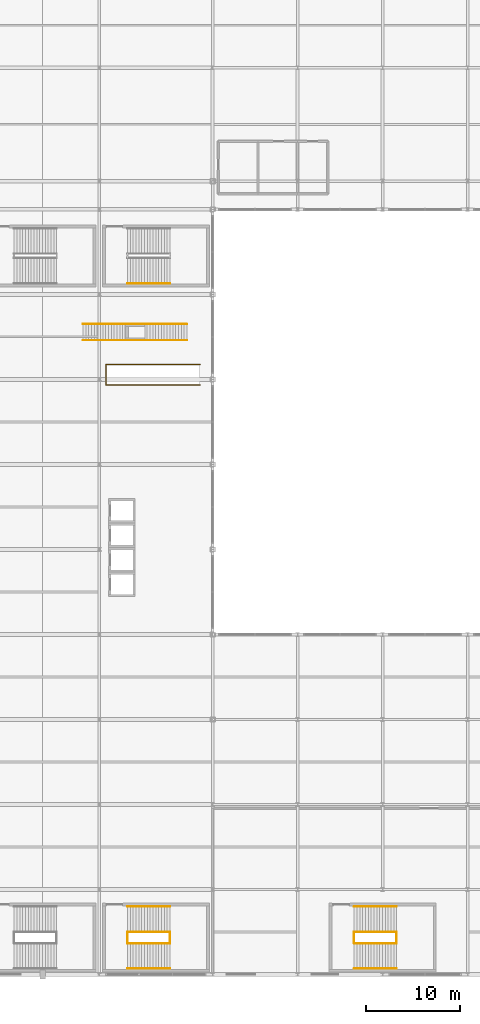
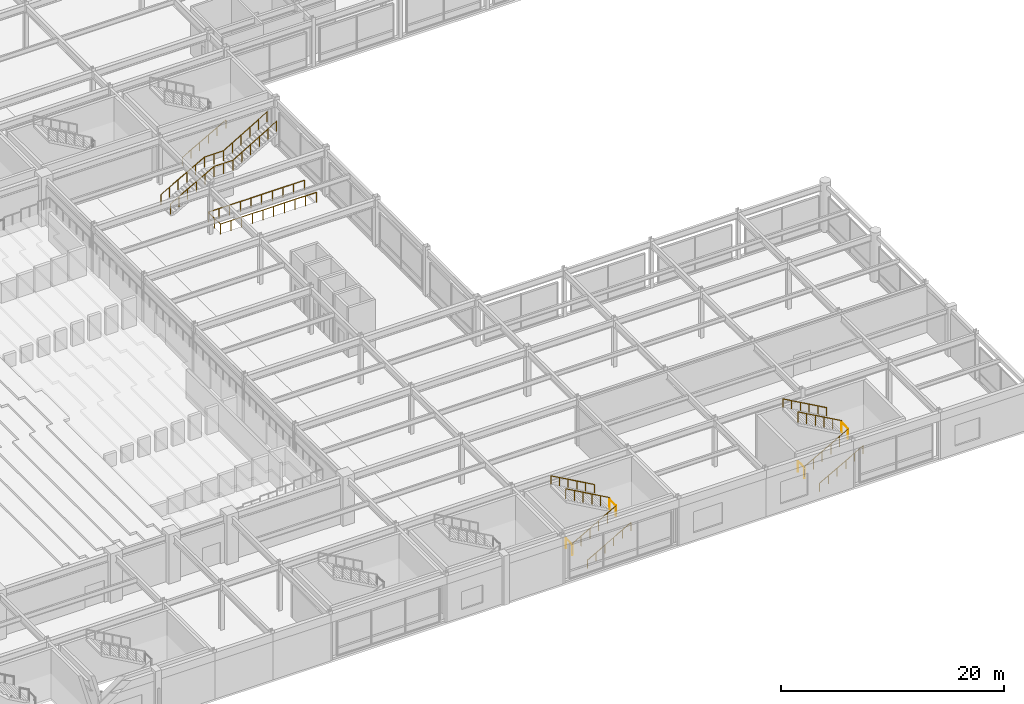
# One storey, part 99 of 100: 16 railings.
"""IFC4 building model written with IfcOpenShell, lengths in metres."""

from ifc_helpers import new_model, si_unit, direction, frame, origin, origin_2d, place, context, subcontext, project, spatial, circle, extrude, material, type_object, element, save


model = new_model("IFC4")

# Units and contexts
model_context = context("Model", 3, precision=1e-05, world=origin(), true_north=direction((0.0, 1.0)))
body_context = subcontext(model_context, "Body", "Model", "MODEL_VIEW")
ifc_project = project(units=[si_unit("LENGTHUNIT", "METRE"), si_unit("AREAUNIT", "SQUARE_METRE"), si_unit("VOLUMEUNIT", "CUBIC_METRE"), si_unit("PLANEANGLEUNIT", "RADIAN"), si_unit("MASSUNIT", "GRAM", prefix="KILO")], contexts=[model_context])

# Site, building, storey
site_placement = place(None, origin())
site = spatial("IfcSite", under=ifc_project, at=site_placement, CompositionType="ELEMENT")
building_placement = place(site_placement, origin())
building = spatial("IfcBuilding", under=site, at=building_placement, Name="Kaldorvane Square Convention Centre", CompositionType="ELEMENT")
storey_placement = place(building_placement, frame((0.0, 0.0, 18.0)))
storey = spatial("IfcBuildingStorey", under=building, at=storey_placement, Name="L03", CompositionType="ELEMENT", Elevation=18.0)

# Railings
ifc_material = material(Name="Architectural Painted Steel", Category="steel")
railing_type_1 = type_object("IfcRailingType", Name="RL-GUARD-1120", PredefinedType="BALUSTRADE", material=ifc_material)
for number, where, name in (
    (1, (128.99000549316406, 3.30999755859375, 0.0), "Convention Exit Stair C10 Floor Well Guard (L03)"),
    (2, (133.49000549316406, 3.30999755859375, 2.6999969482421875), "Convention Exit Stair C10 Half-Landing Guard (L03)"),
):
    element("IfcRailing", number, at=place(storey_placement, frame(where)), inside=storey, type_object=railing_type_1, Name=name, PredefinedType="BALUSTRADE", context=body_context, shape_type="SweptSolid", body=[
        extrude(circle(Radius=0.0240020751953125, at=origin_2d()), frame((0.0, 0.0, 1.0959930419921875), z_axis=(0.0, 1.0, 0.0), x_axis=(-1.0, 0.0, 0.0)), (0.0, 0.0, 1.0), 1.19000244140625),
        extrude(circle(Radius=0.02099609375, at=origin_2d()), origin(), (0.0, 0.0, 1.0), 1.071990966796875),
        extrude(circle(Radius=0.02099609375, at=origin_2d()), frame((0.0, 1.19000244140625, 0.0)), (0.0, 0.0, 1.0), 1.071990966796875),
    ])
railing_1_placement = place(storey_placement, frame((128.99000549316406, 3.3000030517578125, 0.1687469482421875)))
element("IfcRailing", 3, at=railing_1_placement, inside=storey, type_object=railing_type_1, Name="Convention Exit Stair C10 Flight 1 Guard (L03)", PredefinedType="BALUSTRADE", context=body_context, shape_type="SweptSolid", body=[
    extrude(circle(Radius=0.0240020751953125, at=origin_2d()), frame((0.0, 0.0, 1.0959930419921875), z_axis=(0.871575537125, 0.0, 0.490261239633), x_axis=(0.0, 1.0, 0.0)), (0.0, 0.0, 1.0), 5.1630706787109375),
    extrude(circle(Radius=0.02099609375, at=origin_2d()), origin(), (0.0, 0.0, 1.0), 1.071990966796875),
    extrude(circle(Radius=0.02099609375, at=origin_2d()), frame((0.899993896484375, 0.0, 0.506256103515625)), (0.0, 0.0, 1.0), 1.071990966796875),
    extrude(circle(Radius=0.02099609375, at=origin_2d()), frame((1.8000030517578125, 0.0, 1.0124969482421875)), (0.0, 0.0, 1.0), 1.071990966796875),
    extrude(circle(Radius=0.02099609375, at=origin_2d()), frame((2.6999969482421875, 0.0, 1.5187530517578125)), (0.0, 0.0, 1.0), 1.071990966796875),
    extrude(circle(Radius=0.02099609375, at=origin_2d()), frame((3.600006103515625, 0.0, 2.024993896484375)), (0.0, 0.0, 1.0), 1.071990966796875),
    extrude(circle(Radius=0.02099609375, at=origin_2d()), frame((4.5, 0.0, 2.53125)), (0.0, 0.0, 1.0), 1.071990966796875),
])
railing_2_placement = place(storey_placement, frame((133.49000549316406, 4.5099945068359375, 2.868743896484375)))
element("IfcRailing", 4, at=railing_2_placement, inside=storey, type_object=railing_type_1, Name="Convention Exit Stair C10 Flight 2 Guard (L03)", PredefinedType="BALUSTRADE", context=body_context, shape_type="SweptSolid", body=[
    extrude(circle(Radius=0.0240020751953125, at=origin_2d()), frame((0.0, 0.0, 1.0959930419921875), z_axis=(-0.871575537125, 0.0, 0.490261239633), x_axis=(0.0, -1.0, 0.0)), (0.0, 0.0, 1.0), 5.1630706787109375),
    extrude(circle(Radius=0.02099609375, at=origin_2d()), origin(), (0.0, 0.0, 1.0), 1.071990966796875),
    extrude(circle(Radius=0.02099609375, at=origin_2d()), frame((-0.899993896484375, 0.0, 0.506256103515625)), (0.0, 0.0, 1.0), 1.071990966796875),
    extrude(circle(Radius=0.02099609375, at=origin_2d()), frame((-1.8000030517578125, 0.0, 1.0124969482421875)), (0.0, 0.0, 1.0), 1.071990966796875),
    extrude(circle(Radius=0.02099609375, at=origin_2d()), frame((-2.6999969482421875, 0.0, 1.5187530517578125)), (0.0, 0.0, 1.0), 1.071990966796875),
    extrude(circle(Radius=0.02099609375, at=origin_2d()), frame((-3.600006103515625, 0.0, 2.024993896484375)), (0.0, 0.0, 1.0), 1.071990966796875),
    extrude(circle(Radius=0.02099609375, at=origin_2d()), frame((-4.5, 0.0, 2.53125)), (0.0, 0.0, 1.0), 1.071990966796875),
])
for number, where, name in (
    (5, (152.99000549316406, 3.30999755859375, 0.0), "Convention Exit Stair C11 Floor Well Guard (L03)"),
    (6, (157.49000549316406, 3.30999755859375, 2.6999969482421875), "Convention Exit Stair C11 Half-Landing Guard (L03)"),
):
    element("IfcRailing", number, at=place(storey_placement, frame(where)), inside=storey, type_object=railing_type_1, Name=name, PredefinedType="BALUSTRADE", context=body_context, shape_type="SweptSolid", body=[
        extrude(circle(Radius=0.0240020751953125, at=origin_2d()), frame((0.0, 0.0, 1.0959930419921875), z_axis=(0.0, 1.0, 0.0), x_axis=(-1.0, 0.0, 0.0)), (0.0, 0.0, 1.0), 1.19000244140625),
        extrude(circle(Radius=0.02099609375, at=origin_2d()), origin(), (0.0, 0.0, 1.0), 1.071990966796875),
        extrude(circle(Radius=0.02099609375, at=origin_2d()), frame((0.0, 1.19000244140625, 0.0)), (0.0, 0.0, 1.0), 1.071990966796875),
    ])
railing_3_placement = place(storey_placement, frame((152.99000549316406, 3.3000030517578125, 0.1687469482421875)))
element("IfcRailing", 7, at=railing_3_placement, inside=storey, type_object=railing_type_1, Name="Convention Exit Stair C11 Flight 1 Guard (L03)", PredefinedType="BALUSTRADE", context=body_context, shape_type="SweptSolid", body=[
    extrude(circle(Radius=0.0240020751953125, at=origin_2d()), frame((0.0, 0.0, 1.0959930419921875), z_axis=(0.871575537125, 0.0, 0.490261239633), x_axis=(0.0, 1.0, 0.0)), (0.0, 0.0, 1.0), 5.1630706787109375),
    extrude(circle(Radius=0.02099609375, at=origin_2d()), origin(), (0.0, 0.0, 1.0), 1.071990966796875),
    extrude(circle(Radius=0.02099609375, at=origin_2d()), frame((0.899993896484375, 0.0, 0.506256103515625)), (0.0, 0.0, 1.0), 1.071990966796875),
    extrude(circle(Radius=0.02099609375, at=origin_2d()), frame((1.8000030517578125, 0.0, 1.0124969482421875)), (0.0, 0.0, 1.0), 1.071990966796875),
    extrude(circle(Radius=0.02099609375, at=origin_2d()), frame((2.6999969482421875, 0.0, 1.5187530517578125)), (0.0, 0.0, 1.0), 1.071990966796875),
    extrude(circle(Radius=0.02099609375, at=origin_2d()), frame((3.600006103515625, 0.0, 2.024993896484375)), (0.0, 0.0, 1.0), 1.071990966796875),
    extrude(circle(Radius=0.02099609375, at=origin_2d()), frame((4.5, 0.0, 2.53125)), (0.0, 0.0, 1.0), 1.071990966796875),
])
railing_4_placement = place(storey_placement, frame((157.49000549316406, 4.5099945068359375, 2.868743896484375)))
element("IfcRailing", 8, at=railing_4_placement, inside=storey, type_object=railing_type_1, Name="Convention Exit Stair C11 Flight 2 Guard (L03)", PredefinedType="BALUSTRADE", context=body_context, shape_type="SweptSolid", body=[
    extrude(circle(Radius=0.0240020751953125, at=origin_2d()), frame((0.0, 0.0, 1.0959930419921875), z_axis=(-0.871575537125, 0.0, 0.490261239633), x_axis=(0.0, -1.0, 0.0)), (0.0, 0.0, 1.0), 5.1630706787109375),
    extrude(circle(Radius=0.02099609375, at=origin_2d()), origin(), (0.0, 0.0, 1.0), 1.071990966796875),
    extrude(circle(Radius=0.02099609375, at=origin_2d()), frame((-0.899993896484375, 0.0, 0.506256103515625)), (0.0, 0.0, 1.0), 1.071990966796875),
    extrude(circle(Radius=0.02099609375, at=origin_2d()), frame((-1.8000030517578125, 0.0, 1.0124969482421875)), (0.0, 0.0, 1.0), 1.071990966796875),
    extrude(circle(Radius=0.02099609375, at=origin_2d()), frame((-2.6999969482421875, 0.0, 1.5187530517578125)), (0.0, 0.0, 1.0), 1.071990966796875),
    extrude(circle(Radius=0.02099609375, at=origin_2d()), frame((-3.600006103515625, 0.0, 2.024993896484375)), (0.0, 0.0, 1.0), 1.071990966796875),
    extrude(circle(Radius=0.02099609375, at=origin_2d()), frame((-4.5, 0.0, 2.53125)), (0.0, 0.0, 1.0), 1.071990966796875),
])
railing_5_placement = place(storey_placement, frame((136.64999389648438, 62.41999816894531, 0.0)))
element("IfcRailing", 9, at=railing_5_placement, inside=storey, type_object=railing_type_1, Name="East Foyer Grand Stair F3 Upper Well Guard (L03)", PredefinedType="BALUSTRADE", context=body_context, shape_type="SweptSolid", body=[
    extrude(circle(Radius=0.0240020751953125, at=origin_2d()), frame((0.0, 0.0, 1.0959930419921875), z_axis=(-1.0, 0.0, 0.0), x_axis=(0.0, -1.0, 0.0)), (0.0, 0.0, 1.0), 9.92999267578125),
    extrude(circle(Radius=0.0240020751953125, at=origin_2d()), frame((-9.92999267578125, 0.0, 1.0959930419921875), z_axis=(0.0, 1.0, 0.0), x_axis=(-1.0, 0.0, 0.0)), (0.0, 0.0, 1.0), 2.160003662109375),
    extrude(circle(Radius=0.0240020751953125, at=origin_2d()), frame((-9.92999267578125, 2.160003662109375, 1.0959930419921875), z_axis=(1.0, 0.0, 0.0), x_axis=(0.0, 1.0, 0.0)), (0.0, 0.0, 1.0), 9.92999267578125),
    extrude(circle(Radius=0.02099609375, at=origin_2d()), origin(), (0.0, 0.0, 1.0), 1.071990966796875),
    extrude(circle(Radius=0.02099609375, at=origin_2d()), frame((-1.10333251953125, 0.0, 0.0)), (0.0, 0.0, 1.0), 1.071990966796875),
    extrude(circle(Radius=0.02099609375, at=origin_2d()), frame((-2.2066650390625, 0.0, 0.0)), (0.0, 0.0, 1.0), 1.071990966796875),
    extrude(circle(Radius=0.02099609375, at=origin_2d()), frame((-3.30999755859375, 0.0, 0.0)), (0.0, 0.0, 1.0), 1.071990966796875),
    extrude(circle(Radius=0.02099609375, at=origin_2d()), frame((-4.413330078125, 0.0, 0.0)), (0.0, 0.0, 1.0), 1.071990966796875),
    extrude(circle(Radius=0.02099609375, at=origin_2d()), frame((-5.51666259765625, 0.0, 0.0)), (0.0, 0.0, 1.0), 1.071990966796875),
    extrude(circle(Radius=0.02099609375, at=origin_2d()), frame((-6.6199951171875, 0.0, 0.0)), (0.0, 0.0, 1.0), 1.071990966796875),
    extrude(circle(Radius=0.02099609375, at=origin_2d()), frame((-7.72332763671875, 0.0, 0.0)), (0.0, 0.0, 1.0), 1.071990966796875),
    extrude(circle(Radius=0.02099609375, at=origin_2d()), frame((-8.82666015625, 0.0, 0.0)), (0.0, 0.0, 1.0), 1.071990966796875),
    extrude(circle(Radius=0.02099609375, at=origin_2d()), frame((-9.92999267578125, 0.0, 0.0)), (0.0, 0.0, 1.0), 1.071990966796875),
    extrude(circle(Radius=0.02099609375, at=origin_2d()), frame((-9.92999267578125, 1.0800018310546875, 0.0)), (0.0, 0.0, 1.0), 1.071990966796875),
    extrude(circle(Radius=0.02099609375, at=origin_2d()), frame((-9.92999267578125, 2.160003662109375, 0.0)), (0.0, 0.0, 1.0), 1.071990966796875),
    extrude(circle(Radius=0.02099609375, at=origin_2d()), frame((-8.82666015625, 2.160003662109375, 0.0)), (0.0, 0.0, 1.0), 1.071990966796875),
    extrude(circle(Radius=0.02099609375, at=origin_2d()), frame((-7.72332763671875, 2.160003662109375, 0.0)), (0.0, 0.0, 1.0), 1.071990966796875),
    extrude(circle(Radius=0.02099609375, at=origin_2d()), frame((-6.6199951171875, 2.160003662109375, 0.0)), (0.0, 0.0, 1.0), 1.071990966796875),
    extrude(circle(Radius=0.02099609375, at=origin_2d()), frame((-5.51666259765625, 2.160003662109375, 0.0)), (0.0, 0.0, 1.0), 1.071990966796875),
    extrude(circle(Radius=0.02099609375, at=origin_2d()), frame((-4.413330078125, 2.160003662109375, 0.0)), (0.0, 0.0, 1.0), 1.071990966796875),
    extrude(circle(Radius=0.02099609375, at=origin_2d()), frame((-3.30999755859375, 2.160003662109375, 0.0)), (0.0, 0.0, 1.0), 1.071990966796875),
    extrude(circle(Radius=0.02099609375, at=origin_2d()), frame((-2.2066650390625, 2.160003662109375, 0.0)), (0.0, 0.0, 1.0), 1.071990966796875),
    extrude(circle(Radius=0.02099609375, at=origin_2d()), frame((-1.10333251953125, 2.160003662109375, 0.0)), (0.0, 0.0, 1.0), 1.071990966796875),
    extrude(circle(Radius=0.02099609375, at=origin_2d()), frame((0.0, 2.160003662109375, 0.0)), (0.0, 0.0, 1.0), 1.071990966796875),
])
railing_6_placement = place(storey_placement, frame((124.27999877929688, 67.14999389648438, 0.1687469482421875)))
element("IfcRailing", 10, at=railing_6_placement, inside=storey, type_object=railing_type_1, Name="East Foyer Grand Stair F4 Balustrade S (L03)", PredefinedType="BALUSTRADE", context=body_context, shape_type="SweptSolid", body=[
    extrude(circle(Radius=0.0240020751953125, at=origin_2d()), frame((0.0, 0.0, 1.0959930419921875), z_axis=(0.871575537125, 0.0, 0.490261239633), x_axis=(0.0, 1.0, 0.0)), (0.0, 0.0, 1.0), 5.1630706787109375),
    extrude(circle(Radius=0.0240020751953125, at=origin_2d()), frame((4.5, 0.0, 3.6272430419921875), z_axis=(1.0, 0.0, 0.0), x_axis=(0.0, 1.0, 0.0)), (0.0, 0.0, 1.0), 2.0),
    extrude(circle(Radius=0.0240020751953125, at=origin_2d()), frame((6.5, 0.0, 3.6272430419921875), z_axis=(0.857493182267, 0.0, 0.514495327836), x_axis=(0.0, 1.0, 0.0)), (0.0, 0.0, 1.0), 5.2478485107421875),
    extrude(circle(Radius=0.02099609375, at=origin_2d()), origin(), (0.0, 0.0, 1.0), 1.071990966796875),
    extrude(circle(Radius=0.02099609375, at=origin_2d()), frame((0.899993896484375, 0.0, 0.506256103515625)), (0.0, 0.0, 1.0), 1.071990966796875),
    extrude(circle(Radius=0.02099609375, at=origin_2d()), frame((1.8000030517578125, 0.0, 1.0124969482421875)), (0.0, 0.0, 1.0), 1.071990966796875),
    extrude(circle(Radius=0.02099609375, at=origin_2d()), frame((2.6999969482421875, 0.0, 1.5187530517578125)), (0.0, 0.0, 1.0), 1.071990966796875),
    extrude(circle(Radius=0.02099609375, at=origin_2d()), frame((3.600006103515625, 0.0, 2.024993896484375)), (0.0, 0.0, 1.0), 1.071990966796875),
    extrude(circle(Radius=0.02099609375, at=origin_2d()), frame((4.5, 0.0, 2.53125)), (0.0, 0.0, 1.0), 1.071990966796875),
    extrude(circle(Radius=0.02099609375, at=origin_2d()), frame((5.5, 0.0, 2.53125)), (0.0, 0.0, 1.0), 1.071990966796875),
    extrude(circle(Radius=0.02099609375, at=origin_2d()), frame((6.5, 0.0, 2.53125)), (0.0, 0.0, 1.0), 1.071990966796875),
    extrude(circle(Radius=0.02099609375, at=origin_2d()), frame((7.399993896484375, 0.0, 3.0712432861328125)), (0.0, 0.0, 1.0), 1.071990966796875),
    extrude(circle(Radius=0.02099609375, at=origin_2d()), frame((8.300003051757812, 0.0, 3.6112518310546875)), (0.0, 0.0, 1.0), 1.071990966796875),
    extrude(circle(Radius=0.02099609375, at=origin_2d()), frame((9.199996948242188, 0.0, 4.1512451171875)), (0.0, 0.0, 1.0), 1.071990966796875),
    extrude(circle(Radius=0.02099609375, at=origin_2d()), frame((10.100006103515625, 0.0, 4.691253662109375)), (0.0, 0.0, 1.0), 1.071990966796875),
    extrude(circle(Radius=0.02099609375, at=origin_2d()), frame((11.0, 0.0, 5.2312469482421875)), (0.0, 0.0, 1.0), 1.071990966796875),
])
railing_7_placement = place(storey_placement, frame((124.27999877929688, 68.85000610351562, 0.1687469482421875)))
element("IfcRailing", 11, at=railing_7_placement, inside=storey, type_object=railing_type_1, Name="East Foyer Grand Stair F4 Balustrade N (L03)", PredefinedType="BALUSTRADE", context=body_context, shape_type="SweptSolid", body=[
    extrude(circle(Radius=0.0240020751953125, at=origin_2d()), frame((0.0, 0.0, 1.0959930419921875), z_axis=(0.871575537125, 0.0, 0.490261239633), x_axis=(0.0, 1.0, 0.0)), (0.0, 0.0, 1.0), 5.1630706787109375),
    extrude(circle(Radius=0.0240020751953125, at=origin_2d()), frame((4.5, 0.0, 3.6272430419921875), z_axis=(1.0, 0.0, 0.0), x_axis=(0.0, 1.0, 0.0)), (0.0, 0.0, 1.0), 2.0),
    extrude(circle(Radius=0.0240020751953125, at=origin_2d()), frame((6.5, 0.0, 3.6272430419921875), z_axis=(0.857493182267, 0.0, 0.514495327836), x_axis=(0.0, 1.0, 0.0)), (0.0, 0.0, 1.0), 5.2478485107421875),
    extrude(circle(Radius=0.02099609375, at=origin_2d()), origin(), (0.0, 0.0, 1.0), 1.071990966796875),
    extrude(circle(Radius=0.02099609375, at=origin_2d()), frame((0.899993896484375, 0.0, 0.506256103515625)), (0.0, 0.0, 1.0), 1.071990966796875),
    extrude(circle(Radius=0.02099609375, at=origin_2d()), frame((1.8000030517578125, 0.0, 1.0124969482421875)), (0.0, 0.0, 1.0), 1.071990966796875),
    extrude(circle(Radius=0.02099609375, at=origin_2d()), frame((2.6999969482421875, 0.0, 1.5187530517578125)), (0.0, 0.0, 1.0), 1.071990966796875),
    extrude(circle(Radius=0.02099609375, at=origin_2d()), frame((3.600006103515625, 0.0, 2.024993896484375)), (0.0, 0.0, 1.0), 1.071990966796875),
    extrude(circle(Radius=0.02099609375, at=origin_2d()), frame((4.5, 0.0, 2.53125)), (0.0, 0.0, 1.0), 1.071990966796875),
    extrude(circle(Radius=0.02099609375, at=origin_2d()), frame((5.5, 0.0, 2.53125)), (0.0, 0.0, 1.0), 1.071990966796875),
    extrude(circle(Radius=0.02099609375, at=origin_2d()), frame((6.5, 0.0, 2.53125)), (0.0, 0.0, 1.0), 1.071990966796875),
    extrude(circle(Radius=0.02099609375, at=origin_2d()), frame((7.399993896484375, 0.0, 3.0712432861328125)), (0.0, 0.0, 1.0), 1.071990966796875),
    extrude(circle(Radius=0.02099609375, at=origin_2d()), frame((8.300003051757812, 0.0, 3.6112518310546875)), (0.0, 0.0, 1.0), 1.071990966796875),
    extrude(circle(Radius=0.02099609375, at=origin_2d()), frame((9.199996948242188, 0.0, 4.1512451171875)), (0.0, 0.0, 1.0), 1.071990966796875),
    extrude(circle(Radius=0.02099609375, at=origin_2d()), frame((10.100006103515625, 0.0, 4.691253662109375)), (0.0, 0.0, 1.0), 1.071990966796875),
    extrude(circle(Radius=0.02099609375, at=origin_2d()), frame((11.0, 0.0, 5.2312469482421875)), (0.0, 0.0, 1.0), 1.071990966796875),
])
railing_type_2 = type_object("IfcRailingType", Name="RL-HAND-915", PredefinedType="HANDRAIL", material=ifc_material)
railing_8_placement = place(storey_placement, frame((128.99000549316406, 0.6199951171875, 0.1687469482421875)))
element("IfcRailing", 12, at=railing_8_placement, inside=storey, type_object=railing_type_2, Name="Convention Exit Stair C10 Wall Handrail 1 (L03)", PredefinedType="HANDRAIL", context=body_context, shape_type="SweptSolid", body=[
    extrude(circle(Radius=0.0240020751953125, at=origin_2d()), frame((0.0, 0.0, 0.8909912109375), z_axis=(0.871575537125, 0.0, 0.490261239633), x_axis=(0.0, 1.0, 0.0)), (0.0, 0.0, 1.0), 5.1630706787109375),
    extrude(circle(Radius=0.02099609375, at=origin_2d()), origin(), (0.0, 0.0, 1.0), 0.8669891357421875),
    extrude(circle(Radius=0.02099609375, at=origin_2d()), frame((0.899993896484375, 0.0, 0.506256103515625)), (0.0, 0.0, 1.0), 0.8669891357421875),
    extrude(circle(Radius=0.02099609375, at=origin_2d()), frame((1.8000030517578125, 0.0, 1.0124969482421875)), (0.0, 0.0, 1.0), 0.8669891357421875),
    extrude(circle(Radius=0.02099609375, at=origin_2d()), frame((2.6999969482421875, 0.0, 1.5187530517578125)), (0.0, 0.0, 1.0), 0.8669891357421875),
    extrude(circle(Radius=0.02099609375, at=origin_2d()), frame((3.600006103515625, 0.0, 2.024993896484375)), (0.0, 0.0, 1.0), 0.8669891357421875),
    extrude(circle(Radius=0.02099609375, at=origin_2d()), frame((4.5, 0.0, 2.53125)), (0.0, 0.0, 1.0), 0.8669891357421875),
])
railing_9_placement = place(storey_placement, frame((133.49000549316406, 7.19000244140625, 2.868743896484375)))
element("IfcRailing", 13, at=railing_9_placement, inside=storey, type_object=railing_type_2, Name="Convention Exit Stair C10 Wall Handrail 2 (L03)", PredefinedType="HANDRAIL", context=body_context, shape_type="SweptSolid", body=[
    extrude(circle(Radius=0.0240020751953125, at=origin_2d()), frame((0.0, 0.0, 0.8909912109375), z_axis=(-0.871575537125, 0.0, 0.490261239633), x_axis=(0.0, -1.0, 0.0)), (0.0, 0.0, 1.0), 5.1630706787109375),
    extrude(circle(Radius=0.02099609375, at=origin_2d()), origin(), (0.0, 0.0, 1.0), 0.8669891357421875),
    extrude(circle(Radius=0.02099609375, at=origin_2d()), frame((-0.899993896484375, 0.0, 0.506256103515625)), (0.0, 0.0, 1.0), 0.8669891357421875),
    extrude(circle(Radius=0.02099609375, at=origin_2d()), frame((-1.8000030517578125, 0.0, 1.0124969482421875)), (0.0, 0.0, 1.0), 0.8669891357421875),
    extrude(circle(Radius=0.02099609375, at=origin_2d()), frame((-2.6999969482421875, 0.0, 1.5187530517578125)), (0.0, 0.0, 1.0), 0.8669891357421875),
    extrude(circle(Radius=0.02099609375, at=origin_2d()), frame((-3.600006103515625, 0.0, 2.024993896484375)), (0.0, 0.0, 1.0), 0.8669891357421875),
    extrude(circle(Radius=0.02099609375, at=origin_2d()), frame((-4.5, 0.0, 2.53125)), (0.0, 0.0, 1.0), 0.8669891357421875),
])
railing_10_placement = place(storey_placement, frame((152.99000549316406, 0.6199951171875, 0.1687469482421875)))
element("IfcRailing", 14, at=railing_10_placement, inside=storey, type_object=railing_type_2, Name="Convention Exit Stair C11 Wall Handrail 1 (L03)", PredefinedType="HANDRAIL", context=body_context, shape_type="SweptSolid", body=[
    extrude(circle(Radius=0.0240020751953125, at=origin_2d()), frame((0.0, 0.0, 0.8909912109375), z_axis=(0.871575537125, 0.0, 0.490261239633), x_axis=(0.0, 1.0, 0.0)), (0.0, 0.0, 1.0), 5.1630706787109375),
    extrude(circle(Radius=0.02099609375, at=origin_2d()), origin(), (0.0, 0.0, 1.0), 0.8669891357421875),
    extrude(circle(Radius=0.02099609375, at=origin_2d()), frame((0.899993896484375, 0.0, 0.506256103515625)), (0.0, 0.0, 1.0), 0.8669891357421875),
    extrude(circle(Radius=0.02099609375, at=origin_2d()), frame((1.8000030517578125, 0.0, 1.0124969482421875)), (0.0, 0.0, 1.0), 0.8669891357421875),
    extrude(circle(Radius=0.02099609375, at=origin_2d()), frame((2.6999969482421875, 0.0, 1.5187530517578125)), (0.0, 0.0, 1.0), 0.8669891357421875),
    extrude(circle(Radius=0.02099609375, at=origin_2d()), frame((3.600006103515625, 0.0, 2.024993896484375)), (0.0, 0.0, 1.0), 0.8669891357421875),
    extrude(circle(Radius=0.02099609375, at=origin_2d()), frame((4.5, 0.0, 2.53125)), (0.0, 0.0, 1.0), 0.8669891357421875),
])
railing_11_placement = place(storey_placement, frame((157.49000549316406, 7.19000244140625, 2.868743896484375)))
element("IfcRailing", 15, at=railing_11_placement, inside=storey, type_object=railing_type_2, Name="Convention Exit Stair C11 Wall Handrail 2 (L03)", PredefinedType="HANDRAIL", context=body_context, shape_type="SweptSolid", body=[
    extrude(circle(Radius=0.0240020751953125, at=origin_2d()), frame((0.0, 0.0, 0.8909912109375), z_axis=(-0.871575537125, 0.0, 0.490261239633), x_axis=(0.0, -1.0, 0.0)), (0.0, 0.0, 1.0), 5.1630706787109375),
    extrude(circle(Radius=0.02099609375, at=origin_2d()), origin(), (0.0, 0.0, 1.0), 0.8669891357421875),
    extrude(circle(Radius=0.02099609375, at=origin_2d()), frame((-0.899993896484375, 0.0, 0.506256103515625)), (0.0, 0.0, 1.0), 0.8669891357421875),
    extrude(circle(Radius=0.02099609375, at=origin_2d()), frame((-1.8000030517578125, 0.0, 1.0124969482421875)), (0.0, 0.0, 1.0), 0.8669891357421875),
    extrude(circle(Radius=0.02099609375, at=origin_2d()), frame((-2.6999969482421875, 0.0, 1.5187530517578125)), (0.0, 0.0, 1.0), 0.8669891357421875),
    extrude(circle(Radius=0.02099609375, at=origin_2d()), frame((-3.600006103515625, 0.0, 2.024993896484375)), (0.0, 0.0, 1.0), 0.8669891357421875),
    extrude(circle(Radius=0.02099609375, at=origin_2d()), frame((-4.5, 0.0, 2.53125)), (0.0, 0.0, 1.0), 0.8669891357421875),
])
railing_12_placement = place(storey_placement, frame((128.99000549316406, 73.16999816894531, 0.1687469482421875)))
element("IfcRailing", 16, at=railing_12_placement, inside=storey, type_object=railing_type_2, Name="Convention Exit Stair C18 Wall Handrail 1 (L03)", PredefinedType="HANDRAIL", context=body_context, shape_type="SweptSolid", body=[
    extrude(circle(Radius=0.0240020751953125, at=origin_2d()), frame((0.0, 0.0, 0.8909912109375), z_axis=(0.871575537125, 0.0, 0.490261239633), x_axis=(0.0, 1.0, 0.0)), (0.0, 0.0, 1.0), 5.1630706787109375),
    extrude(circle(Radius=0.02099609375, at=origin_2d()), origin(), (0.0, 0.0, 1.0), 0.8669891357421875),
    extrude(circle(Radius=0.02099609375, at=origin_2d()), frame((0.899993896484375, 0.0, 0.506256103515625)), (0.0, 0.0, 1.0), 0.8669891357421875),
    extrude(circle(Radius=0.02099609375, at=origin_2d()), frame((1.8000030517578125, 0.0, 1.0124969482421875)), (0.0, 0.0, 1.0), 0.8669891357421875),
    extrude(circle(Radius=0.02099609375, at=origin_2d()), frame((2.6999969482421875, 0.0, 1.5187530517578125)), (0.0, 0.0, 1.0), 0.8669891357421875),
    extrude(circle(Radius=0.02099609375, at=origin_2d()), frame((3.600006103515625, 0.0, 2.024993896484375)), (0.0, 0.0, 1.0), 0.8669891357421875),
    extrude(circle(Radius=0.02099609375, at=origin_2d()), frame((4.5, 0.0, 2.53125)), (0.0, 0.0, 1.0), 0.8669891357421875),
])

save(model, "model.ifc")
